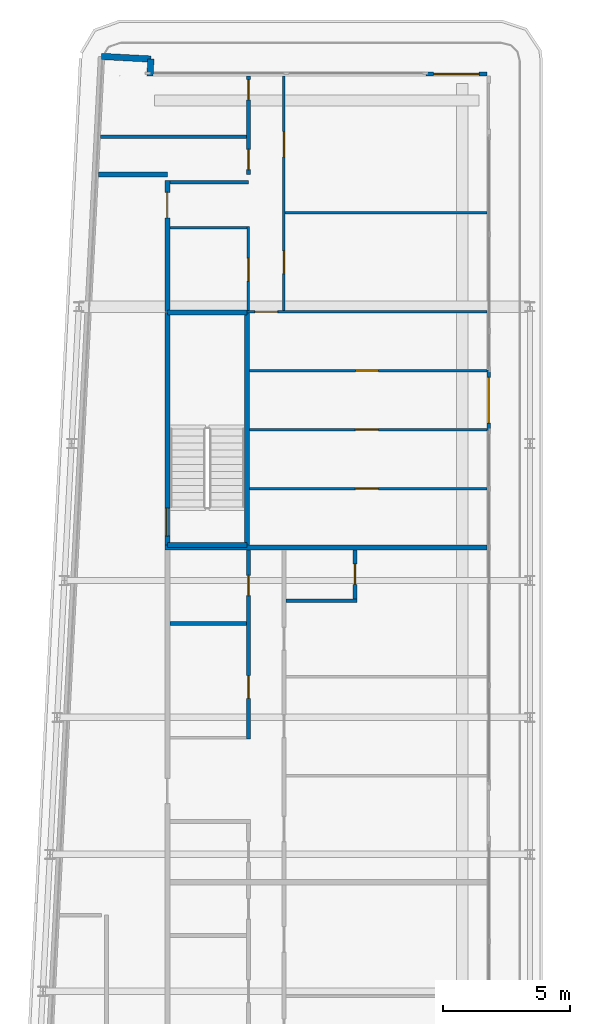
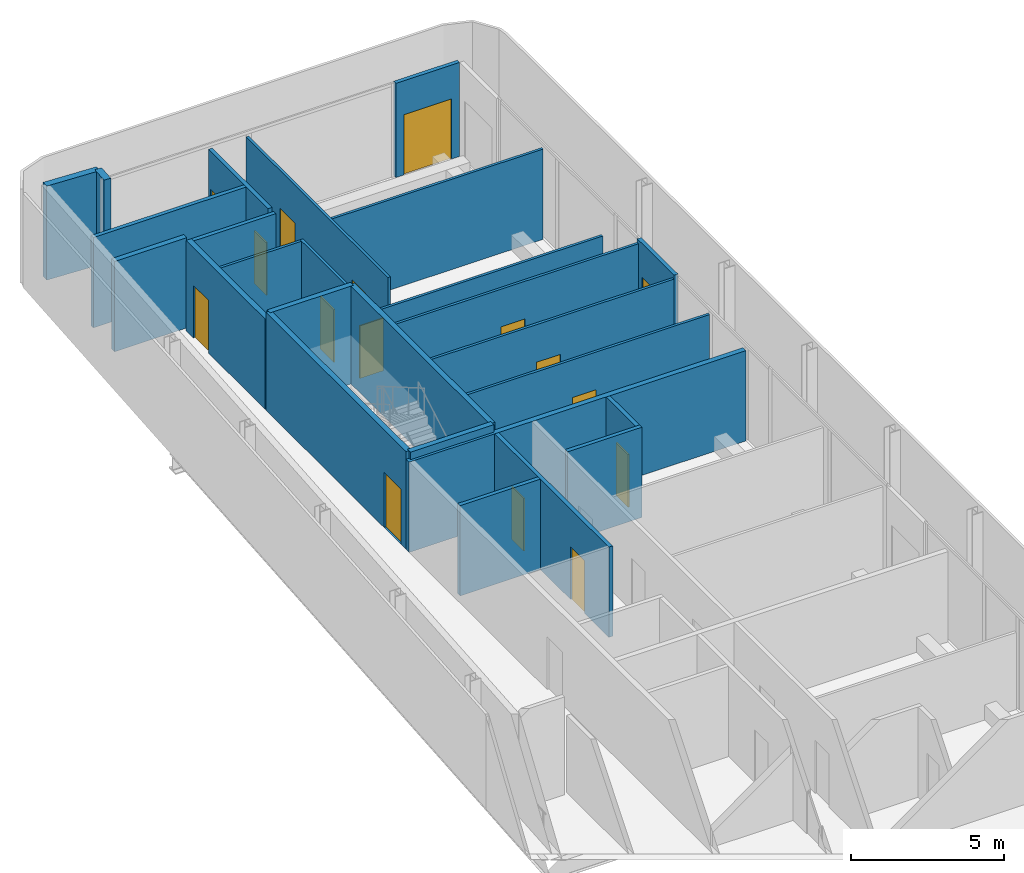
# One storey, part 14 of 21: 26 walls, 16 doors, 16 openings.
"""IFC4 building model written with IfcOpenShell, lengths in metres."""

from ifc_helpers import new_model, si_unit, direction, frame, frame_2d, origin, place, context, subcontext, project, spatial, rectangle, extrude, source, transform, mapped, material, layer, layer_set, type_object, element, fill, save


model = new_model("IFC4")

# Units and contexts
model_context = context("Model", 3, precision=1e-05, world=origin(), true_north=direction((0.0, 1.0)))
body_context = subcontext(model_context, "Body", "Model", "MODEL_VIEW")
ifc_project = project(units=[si_unit("LENGTHUNIT", "METRE"), si_unit("AREAUNIT", "SQUARE_METRE"), si_unit("VOLUMEUNIT", "CUBIC_METRE"), si_unit("PLANEANGLEUNIT", "RADIAN"), si_unit("MASSUNIT", "GRAM", prefix="KILO")], contexts=[model_context])

# Site, building, storey
site_placement = place(None, origin())
site = spatial("IfcSite", under=ifc_project, at=site_placement, CompositionType="ELEMENT")
building_placement = place(site_placement, origin())
building = spatial("IfcBuilding", under=site, at=building_placement, Name="Kheshtan School and Residences Tower", CompositionType="ELEMENT")
storey_placement = place(building_placement, frame((0.0, 0.0, 302.0)))
storey = spatial("IfcBuildingStorey", under=building, at=storey_placement, Name="L71", CompositionType="ELEMENT", Elevation=302.0)

# Wall
ifc_material_1 = material(Name="Gypsum board on steel studs with fire boards", Category="steel")
ifc_layer_1 = layer(ifc_material_1, 0.199951171875)
ifc_layer_set_1 = layer_set([ifc_layer_1], Name="Corridor wall 200")
wall_type_1 = type_object("IfcWallType", Name="Corridor wall 200", PredefinedType="PARTITIONING", material=ifc_layer_set_1)
wall_1_placement = place(storey_placement, frame((30.584716796875, 94.0, 0.0), z_axis=(0.0, 0.0, 1.0), x_axis=(1.0, 0.0, 0.0)))
element("IfcWall", 1, at=wall_1_placement, inside=storey, type_object=wall_type_1, Name="Partition L71-002", PredefinedType="PARTITIONING", context=body_context, shape_type="SweptSolid", body=[
    extrude(rectangle(XDim=2.71533203125, YDim=0.199951171875, at=frame_2d((1.357666015625, 0.0))), origin(), (0.0, 0.0, 1.0), 3.60009765625),
])

# Wall, opening, door
wall_2_placement = place(storey_placement, frame((33.300048828125, 88.60009765625, 0.0), z_axis=(0.0, 0.0, 1.0), x_axis=(0.0, 1.0, 0.0)))
wall_2 = element("IfcWall", 2, at=wall_2_placement, inside=storey, type_object=wall_type_1, Name="Partition L71-005", PredefinedType="PARTITIONING", context=body_context, shape_type="SweptSolid", body=[
    extrude(rectangle(XDim=5.1748046875, YDim=0.199951171875, at=frame_2d((2.58740234375, 0.0))), origin(), (0.0, 0.0, 1.0), 3.60009765625),
])
opening_1_placement = place(wall_2_placement, frame((3.699951171875, 0.0, 0.0)))
opening_1 = element("IfcOpeningElement", 3, at=opening_1_placement, cuts=wall_2, Name="Opening D70-028", PredefinedType="OPENING", context=body_context, shape_type="SweptSolid", body=[
    extrude(rectangle(XDim=1.0, YDim=2.10009765625, at=frame_2d((0.5, 1.050048828125))), frame((0.0, 0.10986328125, 0.0), z_axis=(0.0, -1.0, 0.0), x_axis=(1.0, 0.0, 0.0)), (0.0, 0.0, 1.0), 0.219970703125),
])
ifc_material_2 = material(Name="Steel-framed fire-resisting door leaf", Category="steel")
door_type_1 = type_object("IfcDoorType", Name="Fire door FD30S 1000 x 2100", OperationType="SINGLE_SWING_LEFT", PredefinedType="DOOR", material=ifc_material_2)
shared_shape_1 = source(origin(), body_context, "Body", "SweptSolid", [
    extrude(rectangle(XDim=1.0, YDim=2.10009765625, at=frame_2d((0.5, 1.050048828125))), frame((0.0, 0.02490234375, 0.0), z_axis=(0.0, -1.0, 0.0), x_axis=(1.0, 0.0, 0.0)), (0.0, 0.0, 1.0), 0.050048828125),
])
door_1_placement = place(opening_1_placement, origin())
door_1 = element("IfcDoor", 4, at=door_1_placement, inside=storey, type_object=door_type_1, Name="Door D70-028", OperationType="SINGLE_SWING_RIGHT", OverallHeight=2.10009765625, OverallWidth=1.0, PredefinedType="DOOR", context=body_context, shape_type="MappedRepresentation", body=[
    mapped(shared_shape_1, transform((0.0, 0.0, 0.0), x_axis=(1.0, 0.0, 0.0), y_axis=(0.0, 1.0, 0.0), z_axis=(0.0, 0.0, 1.0), scale=1.0)),
])
fill(opening_1, door_1)

# Walls
ifc_material_3 = material(Name="Concrete C40/50 with ceramic cladding and mineral wool insulation", Category="concrete")
ifc_layer_2 = layer(ifc_material_3, 0.25)
ifc_layer_set_2 = layer_set([ifc_layer_2], Name="External wall 250 ceramic clad")
wall_type_2 = type_object("IfcWallType", Name="External wall 250 ceramic clad", PredefinedType="SOLIDWALL", material=ifc_layer_set_2)
wall_3_placement = place(storey_placement, frame((30.705078125, 98.6640625, 0.0), z_axis=(0.0, 0.0, 1.0), x_axis=(0.998577785791, -0.053314216913, 0.0)))
element("IfcWall", 5, at=wall_3_placement, inside=storey, type_object=wall_type_2, Name="External wall L71 5", PredefinedType="SOLIDWALL", context=body_context, shape_type="SweptSolid", body=[
    extrude(rectangle(XDim=1.95068359375, YDim=0.25, at=frame_2d((0.975341796875, 0.0))), origin(), (0.0, 0.0, 1.0), 3.75),
])
wall_4_placement = place(storey_placement, frame((32.653076171875, 98.56005859375, 0.0), z_axis=(0.0, 0.0, 1.0), x_axis=(-0.054093451632, -0.998535877418, 0.0)))
element("IfcWall", 6, at=wall_4_placement, inside=storey, type_object=wall_type_2, Name="External wall L71 6", PredefinedType="SOLIDWALL", context=body_context, shape_type="SweptSolid", body=[
    extrude(rectangle(XDim=0.66796875, YDim=0.25, at=frame_2d((0.333984375, 0.0))), origin(), (0.0, 0.0, 1.0), 3.75),
])

# Wall, opening, door
ifc_material_4 = material(Name="Aluminium frame wall with insulated infill", Category="aluminium")
ifc_layer_3 = layer(ifc_material_4, 0.14990234375)
ifc_layer_set_3 = layer_set([ifc_layer_3], Name="Glazing frame wall 150")
wall_type_3 = type_object("IfcWallType", Name="Glazing frame wall 150", PredefinedType="SOLIDWALL", material=ifc_layer_set_3)
wall_5_placement = place(storey_placement, frame((43.5, 97.97509765625, 0.0), z_axis=(0.0, 0.0, 1.0), x_axis=(1.0, 0.0, 0.0)))
wall_5 = element("IfcWall", 7, at=wall_5_placement, inside=storey, type_object=wall_type_3, Name="Balcony door wall L71 7.1", PredefinedType="SOLIDWALL", context=body_context, shape_type="SweptSolid", body=[
    extrude(rectangle(XDim=2.39990234375, YDim=0.14990234375, at=frame_2d((1.199951171875, 0.0))), origin(), (0.0, 0.0, 1.0), 3.75),
])
opening_2_placement = place(wall_5_placement, frame((0.300048828125, 0.0, 0.0)))
opening_2 = element("IfcOpeningElement", 8, at=opening_2_placement, cuts=wall_5, Name="Opening BD", PredefinedType="OPENING", context=body_context, shape_type="SweptSolid", body=[
    extrude(rectangle(XDim=1.800048828125, YDim=2.39990234375, at=frame_2d((0.89990234375, 1.199951171875))), frame((0.0, 0.0849609375, 0.0), z_axis=(0.0, -1.0, 0.0), x_axis=(1.0, 0.0, 0.0)), (0.0, 0.0, 1.0), 0.169921875),
])
ifc_material_5 = material(Name="Clear low-e glass in thermally broken aluminium frame", Category="aluminium")
door_type_2 = type_object("IfcDoorType", Name="Balcony sliding door", OperationType="SLIDING_TO_LEFT", PredefinedType="DOOR", material=ifc_material_5)
shared_shape_2 = source(origin(), body_context, "Body", "SweptSolid", [
    extrude(rectangle(XDim=1.800048828125, YDim=2.39990234375, at=frame_2d((0.89990234375, 1.199951171875))), frame((0.0, 0.02490234375, 0.0), z_axis=(0.0, -1.0, 0.0), x_axis=(1.0, 0.0, 0.0)), (0.0, 0.0, 1.0), 0.050048828125),
])
door_2_placement = place(opening_2_placement, origin())
door_2 = element("IfcDoor", 9, at=door_2_placement, inside=storey, type_object=door_type_2, Name="Balcony door L71 7.1", OperationType="SLIDING_TO_LEFT", OverallHeight=2.39990234375, OverallWidth=1.800048828125, PredefinedType="DOOR", context=body_context, shape_type="MappedRepresentation", body=[
    mapped(shared_shape_2, transform((0.0, 0.0, 0.0), x_axis=(1.0, 0.0, 0.0), y_axis=(0.0, 1.0, 0.0), z_axis=(0.0, 0.0, 1.0), scale=1.0)),
])
fill(opening_2, door_2)

wall_6_placement = place(storey_placement, frame((45.97509765625, 86.305908203125, 0.0), z_axis=(0.0, 0.0, 1.0), x_axis=(0.0, -1.0, 0.0)))
wall_6 = element("IfcWall", 10, at=wall_6_placement, inside=storey, type_object=wall_type_3, Name="Balcony door wall L71 8.2", PredefinedType="SOLIDWALL", context=body_context, shape_type="SweptSolid", body=[
    extrude(rectangle(XDim=2.39990234375, YDim=0.14990234375, at=frame_2d((1.199951171875, 0.0))), origin(), (0.0, 0.0, 1.0), 3.75),
])
opening_3_placement = place(wall_6_placement, frame((0.300048828125, 0.0, 0.0)))
opening_3 = element("IfcOpeningElement", 11, at=opening_3_placement, cuts=wall_6, Name="Opening BD", PredefinedType="OPENING", context=body_context, shape_type="SweptSolid", body=[
    extrude(rectangle(XDim=1.800048828125, YDim=2.39990234375, at=frame_2d((0.89990234375, 1.199951171875))), frame((0.0, 0.0849609375, 0.0), z_axis=(0.0, -1.0, 0.0), x_axis=(1.0, 0.0, 0.0)), (0.0, 0.0, 1.0), 0.169921875),
])
door_3_placement = place(opening_3_placement, origin())
door_3 = element("IfcDoor", 12, at=door_3_placement, inside=storey, type_object=door_type_2, Name="Balcony door L71 8.2", OperationType="SLIDING_TO_LEFT", OverallHeight=2.39990234375, OverallWidth=1.800048828125, PredefinedType="DOOR", context=body_context, shape_type="MappedRepresentation", body=[
    mapped(shared_shape_2, transform((0.0, 0.0, 0.0), x_axis=(1.0, 0.0, 0.0), y_axis=(0.0, 1.0, 0.0), z_axis=(0.0, 0.0, 1.0), scale=1.0)),
])
fill(opening_3, door_3)

# Wall
ifc_material_6 = material(Name="Gypsum board on steel studs", Category="steel")
ifc_layer_4 = layer(ifc_material_6, 0.10009765625)
ifc_layer_set_4 = layer_set([ifc_layer_4], Name="Gypsum partition 100")
wall_type_4 = type_object("IfcWallType", Name="Gypsum partition 100", PredefinedType="PARTITIONING", material=ifc_layer_set_4)
wall_7_placement = place(storey_placement, frame((33.39990234375, 91.89990234375, 0.0), z_axis=(0.0, 0.0, 1.0), x_axis=(1.0, 0.0, 0.0)))
element("IfcWall", 13, at=wall_7_placement, inside=storey, type_object=wall_type_4, Name="Partition L71-014", PredefinedType="PARTITIONING", context=body_context, shape_type="SweptSolid", body=[
    extrude(rectangle(XDim=3.050048828125, YDim=0.10009765625, at=frame_2d((1.52490234375, 0.0))), origin(), (0.0, 0.0, 1.0), 3.60009765625),
])

# Wall, opening, door
wall_8_placement = place(storey_placement, frame((36.449951171875, 88.60009765625, 0.0), z_axis=(0.0, 0.0, 1.0), x_axis=(1.0, 0.0, 0.0)))
wall_8 = element("IfcWall", 14, at=wall_8_placement, inside=storey, type_object=wall_type_4, Name="Partition L71-018", PredefinedType="PARTITIONING", context=body_context, shape_type="SweptSolid", body=[
    extrude(rectangle(XDim=9.449951171875, YDim=0.10009765625, at=frame_2d((4.72509765625, 0.0))), origin(), (0.0, 0.0, 1.0), 2.5),
])
opening_4_placement = place(wall_8_placement, frame((0.300048828125, 0.0, 0.0)))
opening_4 = element("IfcOpeningElement", 15, at=opening_4_placement, cuts=wall_8, Name="Opening D70-032", PredefinedType="OPENING", context=body_context, shape_type="SweptSolid", body=[
    extrude(rectangle(XDim=0.89990234375, YDim=2.10009765625, at=frame_2d((0.449951171875, 1.050048828125))), frame((0.0, 0.06005859375, 0.0), z_axis=(0.0, -1.0, 0.0), x_axis=(1.0, 0.0, 0.0)), (0.0, 0.0, 1.0), 0.1201171875),
])
ifc_material_7 = material(Name="Veneered timber door leaf", Category="wood")
door_type_3 = type_object("IfcDoorType", Name="Door 900 x 2100", OperationType="SINGLE_SWING_LEFT", PredefinedType="DOOR", material=ifc_material_7)
shared_shape_3 = source(origin(), body_context, "Body", "SweptSolid", [
    extrude(rectangle(XDim=0.89990234375, YDim=2.10009765625, at=frame_2d((0.449951171875, 1.050048828125))), frame((0.0, 0.02490234375, 0.0), z_axis=(0.0, -1.0, 0.0), x_axis=(1.0, 0.0, 0.0)), (0.0, 0.0, 1.0), 0.050048828125),
])
door_4_placement = place(opening_4_placement, origin())
door_4 = element("IfcDoor", 16, at=door_4_placement, inside=storey, type_object=door_type_3, Name="Door D70-032", OperationType="SINGLE_SWING_LEFT", OverallHeight=2.10009765625, OverallWidth=0.89990234375, PredefinedType="DOOR", context=body_context, shape_type="MappedRepresentation", body=[
    mapped(shared_shape_3, transform((0.0, 0.0, 0.0), x_axis=(1.0, 0.0, 0.0), y_axis=(0.0, 1.0, 0.0), z_axis=(0.0, 0.0, 1.0), scale=1.0)),
])
fill(opening_4, door_4)

wall_9_placement = place(storey_placement, frame((36.5, 88.64990234375, 0.0), z_axis=(0.0, 0.0, 1.0), x_axis=(0.0, 1.0, 0.0)))
wall_9 = element("IfcWall", 17, at=wall_9_placement, inside=storey, type_object=wall_type_4, Name="Partition L71-022", PredefinedType="PARTITIONING", context=body_context, shape_type="SweptSolid", body=[
    extrude(rectangle(XDim=3.300048828125, YDim=0.10009765625, at=frame_2d((1.64990234375, 0.0))), origin(), (0.0, 0.0, 1.0), 3.60009765625),
])
opening_5_placement = place(wall_9_placement, frame((1.14990234375, 0.0, 0.0)))
opening_5 = element("IfcOpeningElement", 18, at=opening_5_placement, cuts=wall_9, Name="Opening D70-029", PredefinedType="OPENING", context=body_context, shape_type="SweptSolid", body=[
    extrude(rectangle(XDim=0.89990234375, YDim=2.10009765625, at=frame_2d((0.449951171875, 1.050048828125))), frame((0.0, 0.06005859375, 0.0), z_axis=(0.0, -1.0, 0.0), x_axis=(1.0, 0.0, 0.0)), (0.0, 0.0, 1.0), 0.1201171875),
])
door_5_placement = place(opening_5_placement, origin())
door_5 = element("IfcDoor", 19, at=door_5_placement, inside=storey, type_object=door_type_3, Name="Door D70-029", OperationType="SINGLE_SWING_RIGHT", OverallHeight=2.10009765625, OverallWidth=0.89990234375, PredefinedType="DOOR", context=body_context, shape_type="MappedRepresentation", body=[
    mapped(shared_shape_3, transform((0.0, 0.0, 0.0), x_axis=(1.0, 0.0, 0.0), y_axis=(0.0, 1.0, 0.0), z_axis=(0.0, 0.0, 1.0), scale=1.0)),
])
fill(opening_5, door_5)

wall_10_placement = place(storey_placement, frame((36.549072265625, 81.625, 0.0), z_axis=(0.0, 0.0, 1.0), x_axis=(1.0, 0.0, 0.0)))
wall_10 = element("IfcWall", 20, at=wall_10_placement, inside=storey, type_object=wall_type_4, Name="Partition L71-024", PredefinedType="PARTITIONING", context=body_context, shape_type="SweptSolid", body=[
    extrude(rectangle(XDim=9.350830078125, YDim=0.10009765625, at=frame_2d((4.67529296875, 0.0))), origin(), (0.0, 0.0, 1.0), 3.60009765625),
])
opening_6_placement = place(wall_10_placement, frame((4.1708984375, 0.0, 0.0)))
opening_6 = element("IfcOpeningElement", 21, at=opening_6_placement, cuts=wall_10, Name="Opening D70-035", PredefinedType="OPENING", context=body_context, shape_type="SweptSolid", body=[
    extrude(rectangle(XDim=0.89990234375, YDim=2.10009765625, at=frame_2d((0.449951171875, 1.050048828125))), frame((0.0, 0.06005859375, 0.0), z_axis=(0.0, -1.0, 0.0), x_axis=(1.0, 0.0, 0.0)), (0.0, 0.0, 1.0), 0.1201171875),
])
door_6_placement = place(opening_6_placement, origin())
door_6 = element("IfcDoor", 22, at=door_6_placement, inside=storey, type_object=door_type_3, Name="Door D70-035", OperationType="SINGLE_SWING_RIGHT", OverallHeight=2.10009765625, OverallWidth=0.89990234375, PredefinedType="DOOR", context=body_context, shape_type="MappedRepresentation", body=[
    mapped(shared_shape_3, transform((0.0, 0.0, 0.0), x_axis=(1.0, 0.0, 0.0), y_axis=(0.0, 1.0, 0.0), z_axis=(0.0, 0.0, 1.0), scale=1.0)),
])
fill(opening_6, door_6)

wall_11_placement = place(storey_placement, frame((36.549072265625, 83.949951171875, 0.0), z_axis=(0.0, 0.0, 1.0), x_axis=(1.0, 0.0, 0.0)))
wall_11 = element("IfcWall", 23, at=wall_11_placement, inside=storey, type_object=wall_type_4, Name="Partition L71-025", PredefinedType="PARTITIONING", context=body_context, shape_type="SweptSolid", body=[
    extrude(rectangle(XDim=9.350830078125, YDim=0.10009765625, at=frame_2d((4.67529296875, 0.0))), origin(), (0.0, 0.0, 1.0), 3.60009765625),
])
opening_7_placement = place(wall_11_placement, frame((4.1708984375, 0.0, 0.0)))
opening_7 = element("IfcOpeningElement", 24, at=opening_7_placement, cuts=wall_11, Name="Opening D70-034", PredefinedType="OPENING", context=body_context, shape_type="SweptSolid", body=[
    extrude(rectangle(XDim=0.89990234375, YDim=2.10009765625, at=frame_2d((0.449951171875, 1.050048828125))), frame((0.0, 0.06005859375, 0.0), z_axis=(0.0, -1.0, 0.0), x_axis=(1.0, 0.0, 0.0)), (0.0, 0.0, 1.0), 0.1201171875),
])
door_7_placement = place(opening_7_placement, origin())
door_7 = element("IfcDoor", 25, at=door_7_placement, inside=storey, type_object=door_type_3, Name="Door D70-034", OperationType="SINGLE_SWING_RIGHT", OverallHeight=2.10009765625, OverallWidth=0.89990234375, PredefinedType="DOOR", context=body_context, shape_type="MappedRepresentation", body=[
    mapped(shared_shape_3, transform((0.0, 0.0, 0.0), x_axis=(1.0, 0.0, 0.0), y_axis=(0.0, 1.0, 0.0), z_axis=(0.0, 0.0, 1.0), scale=1.0)),
])
fill(opening_7, door_7)

wall_12_placement = place(storey_placement, frame((36.549072265625, 86.27490234375, 0.0), z_axis=(0.0, 0.0, 1.0), x_axis=(1.0, 0.0, 0.0)))
wall_12 = element("IfcWall", 26, at=wall_12_placement, inside=storey, type_object=wall_type_4, Name="Partition L71-026", PredefinedType="PARTITIONING", context=body_context, shape_type="SweptSolid", body=[
    extrude(rectangle(XDim=9.350830078125, YDim=0.10009765625, at=frame_2d((4.67529296875, 0.0))), origin(), (0.0, 0.0, 1.0), 3.60009765625),
])
opening_8_placement = place(wall_12_placement, frame((4.176025390625, 0.0, 0.0)))
opening_8 = element("IfcOpeningElement", 27, at=opening_8_placement, cuts=wall_12, Name="Opening D70-033", PredefinedType="OPENING", context=body_context, shape_type="SweptSolid", body=[
    extrude(rectangle(XDim=0.89990234375, YDim=2.10009765625, at=frame_2d((0.449951171875, 1.050048828125))), frame((0.0, 0.06005859375, 0.0), z_axis=(0.0, -1.0, 0.0), x_axis=(1.0, 0.0, 0.0)), (0.0, 0.0, 1.0), 0.1201171875),
])
door_8_placement = place(opening_8_placement, origin())
door_8 = element("IfcDoor", 28, at=door_8_placement, inside=storey, type_object=door_type_3, Name="Door D70-033", OperationType="SINGLE_SWING_RIGHT", OverallHeight=2.10009765625, OverallWidth=0.89990234375, PredefinedType="DOOR", context=body_context, shape_type="MappedRepresentation", body=[
    mapped(shared_shape_3, transform((0.0, 0.0, 0.0), x_axis=(1.0, 0.0, 0.0), y_axis=(0.0, 1.0, 0.0), z_axis=(0.0, 0.0, 1.0), scale=1.0)),
])
fill(opening_8, door_8)

# Wall, openings, doors
wall_13_placement = place(storey_placement, frame((37.89990234375, 88.64990234375, 0.0), z_axis=(0.0, 0.0, 1.0), x_axis=(0.0, 1.0, 0.0)))
wall_13 = element("IfcWall", 29, at=wall_13_placement, inside=storey, type_object=wall_type_4, Name="Partition L71-029", PredefinedType="PARTITIONING", context=body_context, shape_type="SweptSolid", body=[
    extrude(rectangle(XDim=9.25, YDim=0.10009765625, at=frame_2d((4.625, 0.0))), origin(), (0.0, 0.0, 1.0), 3.60009765625),
])
opening_9_placement = place(wall_13_placement, frame((1.449951171875, 0.0, 0.0)))
opening_9 = element("IfcOpeningElement", 30, at=opening_9_placement, cuts=wall_13, Name="Opening D70-027", PredefinedType="OPENING", context=body_context, shape_type="SweptSolid", body=[
    extrude(rectangle(XDim=0.89990234375, YDim=2.10009765625, at=frame_2d((0.449951171875, 1.050048828125))), frame((0.0, 0.06005859375, 0.0), z_axis=(0.0, -1.0, 0.0), x_axis=(1.0, 0.0, 0.0)), (0.0, 0.0, 1.0), 0.1201171875),
])
opening_10_placement = place(wall_13_placement, frame((6.050048828125, 0.0, 0.0)))
opening_10 = element("IfcOpeningElement", 31, at=opening_10_placement, cuts=wall_13, Name="Opening D70-030", PredefinedType="OPENING", context=body_context, shape_type="SweptSolid", body=[
    extrude(rectangle(XDim=1.0, YDim=2.10009765625, at=frame_2d((0.5, 1.050048828125))), frame((0.0, 0.06005859375, 0.0), z_axis=(0.0, -1.0, 0.0), x_axis=(1.0, 0.0, 0.0)), (0.0, 0.0, 1.0), 0.1201171875),
])
door_type_4 = type_object("IfcDoorType", Name="Door 1000 x 2100", OperationType="SINGLE_SWING_LEFT", PredefinedType="DOOR", material=ifc_material_7)
shared_shape_4 = source(origin(), body_context, "Body", "SweptSolid", [
    extrude(rectangle(XDim=1.0, YDim=2.10009765625, at=frame_2d((0.5, 1.050048828125))), frame((0.0, 0.02490234375, 0.0), z_axis=(0.0, -1.0, 0.0), x_axis=(1.0, 0.0, 0.0)), (0.0, 0.0, 1.0), 0.050048828125),
])
door_9_placement = place(opening_10_placement, origin())
door_9 = element("IfcDoor", 32, at=door_9_placement, inside=storey, type_object=door_type_4, Name="Door D70-030", OperationType="SINGLE_SWING_RIGHT", OverallHeight=2.10009765625, OverallWidth=1.0, PredefinedType="DOOR", context=body_context, shape_type="MappedRepresentation", body=[
    mapped(shared_shape_4, transform((0.0, 0.0, 0.0), x_axis=(1.0, 0.0, 0.0), y_axis=(0.0, 1.0, 0.0), z_axis=(0.0, 0.0, 1.0), scale=1.0)),
])
fill(opening_10, door_9)
door_10_placement = place(opening_9_placement, origin())
door_10 = element("IfcDoor", 33, at=door_10_placement, inside=storey, type_object=door_type_3, Name="Door D70-027", OperationType="SINGLE_SWING_RIGHT", OverallHeight=2.10009765625, OverallWidth=0.89990234375, PredefinedType="DOOR", context=body_context, shape_type="MappedRepresentation", body=[
    mapped(shared_shape_3, transform((0.0, 0.0, 0.0), x_axis=(1.0, 0.0, 0.0), y_axis=(0.0, 1.0, 0.0), z_axis=(0.0, 0.0, 1.0), scale=1.0)),
])
fill(opening_9, door_10)

# Walls
wall_14_placement = place(storey_placement, frame((37.949951171875, 92.5, 0.0), z_axis=(0.0, 0.0, 1.0), x_axis=(1.0, 0.0, 0.0)))
element("IfcWall", 34, at=wall_14_placement, inside=storey, type_object=wall_type_4, Name="Partition L71-030", PredefinedType="PARTITIONING", context=body_context, shape_type="SweptSolid", body=[
    extrude(rectangle(XDim=7.949951171875, YDim=0.10009765625, at=frame_2d((3.97509765625, 0.0))), origin(), (0.0, 0.0, 1.0), 3.60009765625),
])
ifc_material_8 = material(Name="Concrete C40/50", Category="concrete")
ifc_layer_5 = layer(ifc_material_8, 0.199951171875)
ifc_layer_set_5 = layer_set([ifc_layer_5], Name="Stair enclosure wall 200 Concrete C40/50")
wall_type_5 = type_object("IfcWallType", Name="Stair enclosure wall 200 Concrete C40/50", PredefinedType="SHEAR", material=ifc_layer_set_5)
for number, where, z_axis, x_axis, name in (
    (35, (33.300048828125, 79.39990234375, 0.0), (0.0, 0.0, 1.0), (1.0, 0.0, 0.0), "Stair enclosure wall ST3"),
    (36, (33.300048828125, 88.56005859375, 0.0), (0.0, 0.0, 1.0), (1.0, 0.0, 0.0), "Stair enclosure wall ST3"),
):
    element("IfcWall", number, at=place(storey_placement, frame(where, z_axis=z_axis, x_axis=x_axis)), inside=storey, type_object=wall_type_5, Name=name, PredefinedType="SHEAR", context=body_context, shape_type="SweptSolid", body=[
        extrude(rectangle(XDim=3.14990234375, YDim=0.199951171875, at=frame_2d((1.574951171875, 0.0))), origin(), (0.0, 0.0, 1.0), 3.89990234375),
    ])

# Wall, opening, door
wall_15_placement = place(storey_placement, frame((33.300048828125, 79.39990234375, 0.0), z_axis=(0.0, 0.0, 1.0), x_axis=(0.0, 1.0, 0.0)))
wall_15 = element("IfcWall", 37, at=wall_15_placement, inside=storey, type_object=wall_type_5, Name="Stair enclosure wall ST3", PredefinedType="SHEAR", context=body_context, shape_type="SweptSolid", body=[
    extrude(rectangle(XDim=9.16015625, YDim=0.199951171875, at=frame_2d((4.580078125, 0.0))), origin(), (0.0, 0.0, 1.0), 3.89990234375),
])
opening_11_placement = place(wall_15_placement, frame((0.35009765625, 0.0, 0.0)))
opening_11 = element("IfcOpeningElement", 38, at=opening_11_placement, cuts=wall_15, Name="Opening ST3D", PredefinedType="OPENING", context=body_context, shape_type="SweptSolid", body=[
    extrude(rectangle(XDim=1.10009765625, YDim=2.199951171875, at=frame_2d((0.550048828125, 1.10009765625))), frame((0.0, 0.10986328125, 0.0), z_axis=(0.0, -1.0, 0.0), x_axis=(1.0, 0.0, 0.0)), (0.0, 0.0, 1.0), 0.219970703125),
])
ifc_material_9 = material(Name="Steel door leaf, galvanised", Category="steel")
door_type_5 = type_object("IfcDoorType", Name="Stair door 1100 steel 90 min", OperationType="SINGLE_SWING_LEFT", PredefinedType="DOOR", material=ifc_material_9)
shared_shape_5 = source(origin(), body_context, "Body", "SweptSolid", [
    extrude(rectangle(XDim=1.10009765625, YDim=2.199951171875, at=frame_2d((0.550048828125, 1.10009765625))), frame((0.0, 0.02490234375, 0.0), z_axis=(0.0, -1.0, 0.0), x_axis=(1.0, 0.0, 0.0)), (0.0, 0.0, 1.0), 0.050048828125),
])
door_11_placement = place(opening_11_placement, origin())
door_11 = element("IfcDoor", 39, at=door_11_placement, inside=storey, type_object=door_type_5, Name="Stair ST3 door", OperationType="SINGLE_SWING_RIGHT", OverallHeight=2.199951171875, OverallWidth=1.10009765625, PredefinedType="DOOR", context=body_context, shape_type="MappedRepresentation", body=[
    mapped(shared_shape_5, transform((0.0, 0.0, 0.0), x_axis=(1.0, 0.0, 0.0), y_axis=(0.0, 1.0, 0.0), z_axis=(0.0, 0.0, 1.0), scale=1.0)),
])
fill(opening_11, door_11)

# Walls
wall_16_placement = place(storey_placement, frame((36.449951171875, 79.39990234375, 0.0), z_axis=(0.0, 0.0, 1.0), x_axis=(0.0, 1.0, 0.0)))
element("IfcWall", 40, at=wall_16_placement, inside=storey, type_object=wall_type_5, Name="Stair enclosure wall ST3", PredefinedType="SHEAR", context=body_context, shape_type="SweptSolid", body=[
    extrude(rectangle(XDim=9.16015625, YDim=0.199951171875, at=frame_2d((4.580078125, 0.0))), origin(), (0.0, 0.0, 1.0), 3.89990234375),
])
ifc_material_10 = material(Name="Twin gypsum board on steel studs with mineral wool", Category="steel")
ifc_layer_6 = layer(ifc_material_10, 0.199951171875)
ifc_layer_set_6 = layer_set([ifc_layer_6], Name="Unit demising wall 200")
wall_type_6 = type_object("IfcWallType", Name="Unit demising wall 200", PredefinedType="PARTITIONING", material=ifc_layer_set_6)
wall_17_placement = place(storey_placement, frame((33.199951171875, 79.300048828125, 0.0), z_axis=(0.0, 0.0, 1.0), x_axis=(1.0, 0.0, 0.0)))
element("IfcWall", 41, at=wall_17_placement, inside=storey, type_object=wall_type_6, Name="Partition L71-003", PredefinedType="PARTITIONING", context=body_context, shape_type="SweptSolid", body=[
    extrude(rectangle(XDim=12.699951171875, YDim=0.199951171875, at=frame_2d((6.35009765625, 0.0))), origin(), (0.0, 0.0, 1.0), 3.60009765625),
])
ifc_material_11 = material(Name="Moisture-resistant gypsum board on steel studs", Category="steel")
ifc_layer_7 = layer(ifc_material_11, 0.14990234375)
ifc_layer_set_7 = layer_set([ifc_layer_7], Name="Wet-room partition 150")
wall_type_7 = type_object("IfcWallType", Name="Wet-room partition 150", PredefinedType="PARTITIONING", material=ifc_layer_set_7)
wall_18_placement = place(storey_placement, frame((30.6640625, 95.5, 0.0), z_axis=(0.0, 0.0, 1.0), x_axis=(1.0, 0.0, 0.0)))
element("IfcWall", 42, at=wall_18_placement, inside=storey, type_object=wall_type_7, Name="Partition L71-001", PredefinedType="PARTITIONING", context=body_context, shape_type="SweptSolid", body=[
    extrude(rectangle(XDim=5.760986328125, YDim=0.14990234375, at=frame_2d((2.88037109375, 0.0))), origin(), (0.0, 0.0, 1.0), 3.60009765625),
])
wall_19_placement = place(storey_placement, frame((33.39990234375, 76.300048828125, 0.0), z_axis=(0.0, 0.0, 1.0), x_axis=(1.0, 0.0, 0.0)))
element("IfcWall", 43, at=wall_19_placement, inside=storey, type_object=wall_type_7, Name="Partition L71-013", PredefinedType="PARTITIONING", context=body_context, shape_type="SweptSolid", body=[
    extrude(rectangle(XDim=3.025146484375, YDim=0.14990234375, at=frame_2d((1.5126953125, 0.0))), origin(), (0.0, 0.0, 1.0), 3.60009765625),
])
wall_20_placement = place(storey_placement, frame((33.39990234375, 93.699951171875, 0.0), z_axis=(0.0, 0.0, 1.0), x_axis=(1.0, 0.0, 0.0)))
element("IfcWall", 44, at=wall_20_placement, inside=storey, type_object=wall_type_7, Name="Partition L71-015", PredefinedType="PARTITIONING", context=body_context, shape_type="SweptSolid", body=[
    extrude(rectangle(XDim=3.10009765625, YDim=0.14990234375, at=frame_2d((1.550048828125, 0.0))), origin(), (0.0, 0.0, 1.0), 3.60009765625),
])

# Wall, openings, doors
wall_21_placement = place(storey_placement, frame((36.5, 71.75, 0.0), z_axis=(0.0, 0.0, 1.0), x_axis=(0.0, 1.0, 0.0)))
wall_21 = element("IfcWall", 45, at=wall_21_placement, inside=storey, type_object=wall_type_7, Name="Partition L71-021", PredefinedType="PARTITIONING", context=body_context, shape_type="SweptSolid", body=[
    extrude(rectangle(XDim=7.449951171875, YDim=0.14990234375, at=frame_2d((3.72509765625, 0.0))), origin(), (0.0, 0.0, 1.0), 3.60009765625),
])
opening_12_placement = place(wall_21_placement, frame((5.64990234375, 0.0, 0.0)))
opening_12 = element("IfcOpeningElement", 46, at=opening_12_placement, cuts=wall_21, Name="Opening D70-018", PredefinedType="OPENING", context=body_context, shape_type="SweptSolid", body=[
    extrude(rectangle(XDim=0.800048828125, YDim=2.10009765625, at=frame_2d((0.39990234375, 1.050048828125))), frame((0.0, 0.0849609375, 0.0), z_axis=(0.0, -1.0, 0.0), x_axis=(1.0, 0.0, 0.0)), (0.0, 0.0, 1.0), 0.169921875),
])
opening_13_placement = place(wall_21_placement, frame((1.60009765625, 0.0, 0.0)))
opening_13 = element("IfcOpeningElement", 47, at=opening_13_placement, cuts=wall_21, Name="Opening D70-022", PredefinedType="OPENING", context=body_context, shape_type="SweptSolid", body=[
    extrude(rectangle(XDim=0.89990234375, YDim=2.10009765625, at=frame_2d((0.449951171875, 1.050048828125))), frame((0.0, 0.0849609375, 0.0), z_axis=(0.0, -1.0, 0.0), x_axis=(1.0, 0.0, 0.0)), (0.0, 0.0, 1.0), 0.169921875),
])
door_type_6 = type_object("IfcDoorType", Name="Door 800 x 2100", OperationType="SINGLE_SWING_LEFT", PredefinedType="DOOR", material=ifc_material_7)
shared_shape_6 = source(origin(), body_context, "Body", "SweptSolid", [
    extrude(rectangle(XDim=0.800048828125, YDim=2.10009765625, at=frame_2d((0.39990234375, 1.050048828125))), frame((0.0, 0.02490234375, 0.0), z_axis=(0.0, -1.0, 0.0), x_axis=(1.0, 0.0, 0.0)), (0.0, 0.0, 1.0), 0.050048828125),
])
door_12_placement = place(opening_12_placement, origin())
door_12 = element("IfcDoor", 48, at=door_12_placement, inside=storey, type_object=door_type_6, Name="Door D70-018", OperationType="SINGLE_SWING_RIGHT", OverallHeight=2.10009765625, OverallWidth=0.800048828125, PredefinedType="DOOR", context=body_context, shape_type="MappedRepresentation", body=[
    mapped(shared_shape_6, transform((0.0, 0.0, 0.0), x_axis=(1.0, 0.0, 0.0), y_axis=(0.0, 1.0, 0.0), z_axis=(0.0, 0.0, 1.0), scale=1.0)),
])
fill(opening_12, door_12)
door_13_placement = place(opening_13_placement, origin())
door_13 = element("IfcDoor", 49, at=door_13_placement, inside=storey, type_object=door_type_3, Name="Door D70-022", OperationType="SINGLE_SWING_RIGHT", OverallHeight=2.10009765625, OverallWidth=0.89990234375, PredefinedType="DOOR", context=body_context, shape_type="MappedRepresentation", body=[
    mapped(shared_shape_3, transform((0.0, 0.0, 0.0), x_axis=(1.0, 0.0, 0.0), y_axis=(0.0, 1.0, 0.0), z_axis=(0.0, 0.0, 1.0), scale=1.0)),
])
fill(opening_13, door_13)

wall_22_placement = place(storey_placement, frame((36.5, 94.0, 0.0), z_axis=(0.0, 0.0, 1.0), x_axis=(0.0, 1.0, 0.0)))
wall_22 = element("IfcWall", 50, at=wall_22_placement, inside=storey, type_object=wall_type_7, Name="Partition L71-023", PredefinedType="PARTITIONING", context=body_context, shape_type="SweptSolid", body=[
    extrude(rectangle(XDim=3.89990234375, YDim=0.14990234375, at=frame_2d((1.949951171875, 0.0))), origin(), (0.0, 0.0, 1.0), 3.60009765625),
])
opening_14_placement = place(wall_22_placement, frame((2.949951171875, 0.0, 0.0)))
opening_14 = element("IfcOpeningElement", 51, at=opening_14_placement, cuts=wall_22, Name="Opening D70-026", PredefinedType="OPENING", context=body_context, shape_type="SweptSolid", body=[
    extrude(rectangle(XDim=0.800048828125, YDim=2.10009765625, at=frame_2d((0.39990234375, 1.050048828125))), frame((0.0, 0.0849609375, 0.0), z_axis=(0.0, -1.0, 0.0), x_axis=(1.0, 0.0, 0.0)), (0.0, 0.0, 1.0), 0.169921875),
])
opening_15_placement = place(wall_22_placement, frame((0.199951171875, 0.0, 0.0)))
opening_15 = element("IfcOpeningElement", 52, at=opening_15_placement, cuts=wall_22, Name="Opening D70-031", PredefinedType="OPENING", context=body_context, shape_type="SweptSolid", body=[
    extrude(rectangle(XDim=0.800048828125, YDim=2.10009765625, at=frame_2d((0.39990234375, 1.050048828125))), frame((0.0, 0.0849609375, 0.0), z_axis=(0.0, -1.0, 0.0), x_axis=(1.0, 0.0, 0.0)), (0.0, 0.0, 1.0), 0.169921875),
])
door_14_placement = place(opening_14_placement, origin())
door_14 = element("IfcDoor", 53, at=door_14_placement, inside=storey, type_object=door_type_6, Name="Door D70-026", OperationType="SINGLE_SWING_LEFT", OverallHeight=2.10009765625, OverallWidth=0.800048828125, PredefinedType="DOOR", context=body_context, shape_type="MappedRepresentation", body=[
    mapped(shared_shape_6, transform((0.0, 0.0, 0.0), x_axis=(1.0, 0.0, 0.0), y_axis=(0.0, 1.0, 0.0), z_axis=(0.0, 0.0, 1.0), scale=1.0)),
])
fill(opening_14, door_14)
door_15_placement = place(opening_15_placement, origin())
door_15 = element("IfcDoor", 54, at=door_15_placement, inside=storey, type_object=door_type_6, Name="Door D70-031", OperationType="SINGLE_SWING_RIGHT", OverallHeight=2.10009765625, OverallWidth=0.800048828125, PredefinedType="DOOR", context=body_context, shape_type="MappedRepresentation", body=[
    mapped(shared_shape_6, transform((0.0, 0.0, 0.0), x_axis=(1.0, 0.0, 0.0), y_axis=(0.0, 1.0, 0.0), z_axis=(0.0, 0.0, 1.0), scale=1.0)),
])
fill(opening_15, door_15)

# Wall
wall_23_placement = place(storey_placement, frame((37.97509765625, 77.199951171875, 0.0), z_axis=(0.0, 0.0, 1.0), x_axis=(1.0, 0.0, 0.0)))
element("IfcWall", 55, at=wall_23_placement, inside=storey, type_object=wall_type_7, Name="Partition L71-036", PredefinedType="PARTITIONING", context=body_context, shape_type="SweptSolid", body=[
    extrude(rectangle(XDim=2.7998046875, YDim=0.14990234375, at=frame_2d((1.39990234375, 0.0))), origin(), (0.0, 0.0, 1.0), 3.60009765625),
])

# Wall, opening, door
wall_24_placement = place(storey_placement, frame((40.699951171875, 77.27490234375, 0.0), z_axis=(0.0, 0.0, 1.0), x_axis=(0.0, 1.0, 0.0)))
wall_24 = element("IfcWall", 56, at=wall_24_placement, inside=storey, type_object=wall_type_7, Name="Partition L71-039", PredefinedType="PARTITIONING", context=body_context, shape_type="SweptSolid", body=[
    extrude(rectangle(XDim=1.925048828125, YDim=0.14990234375, at=frame_2d((0.96240234375, 0.0))), origin(), (0.0, 0.0, 1.0), 3.60009765625),
])
opening_16_placement = place(wall_24_placement, frame((0.574951171875, 0.0, 0.0)))
opening_16 = element("IfcOpeningElement", 57, at=opening_16_placement, cuts=wall_24, Name="Opening D70-020", PredefinedType="OPENING", context=body_context, shape_type="SweptSolid", body=[
    extrude(rectangle(XDim=0.800048828125, YDim=2.10009765625, at=frame_2d((0.39990234375, 1.050048828125))), frame((0.0, 0.0849609375, 0.0), z_axis=(0.0, -1.0, 0.0), x_axis=(1.0, 0.0, 0.0)), (0.0, 0.0, 1.0), 0.169921875),
])
door_16_placement = place(opening_16_placement, origin())
door_16 = element("IfcDoor", 58, at=door_16_placement, inside=storey, type_object=door_type_6, Name="Door D70-020", OperationType="SINGLE_SWING_RIGHT", OverallHeight=2.10009765625, OverallWidth=0.800048828125, PredefinedType="DOOR", context=body_context, shape_type="MappedRepresentation", body=[
    mapped(shared_shape_6, transform((0.0, 0.0, 0.0), x_axis=(1.0, 0.0, 0.0), y_axis=(0.0, 1.0, 0.0), z_axis=(0.0, 0.0, 1.0), scale=1.0)),
])
fill(opening_16, door_16)

save(model, "model.ifc")
